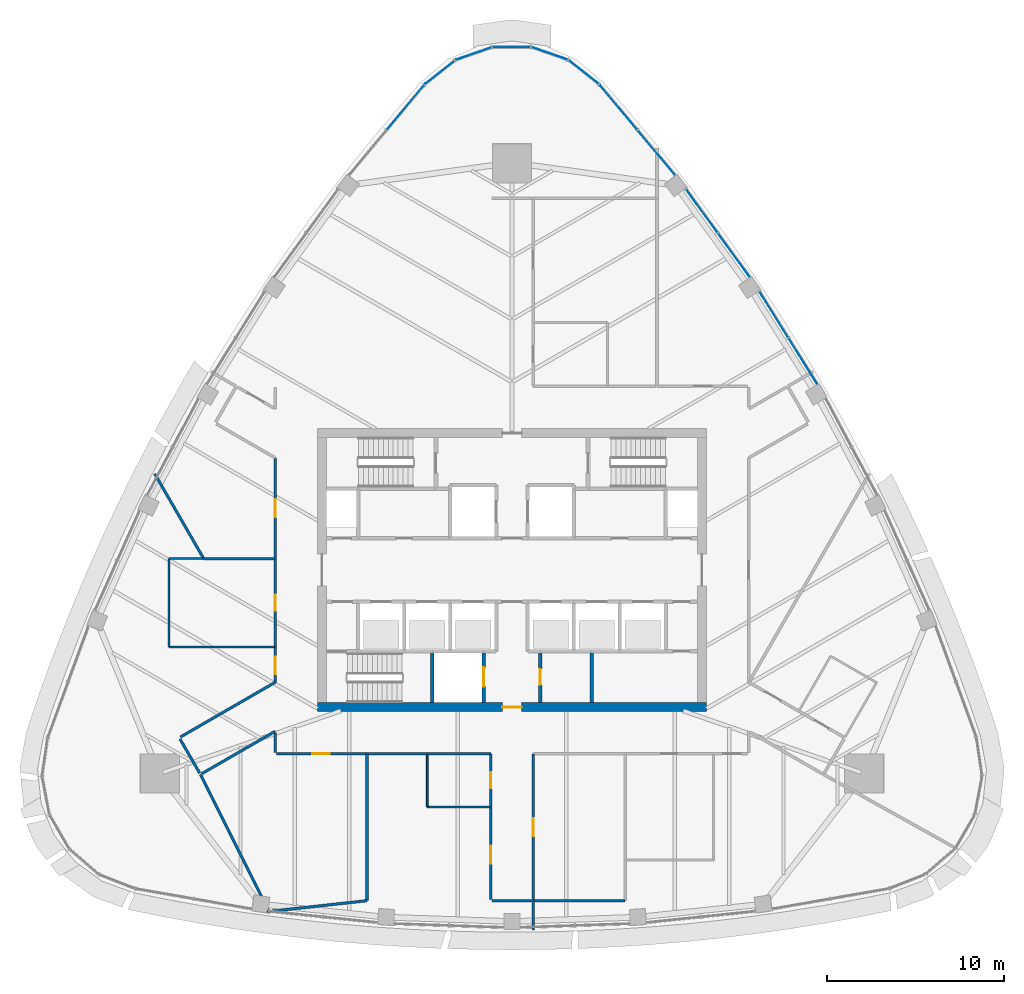
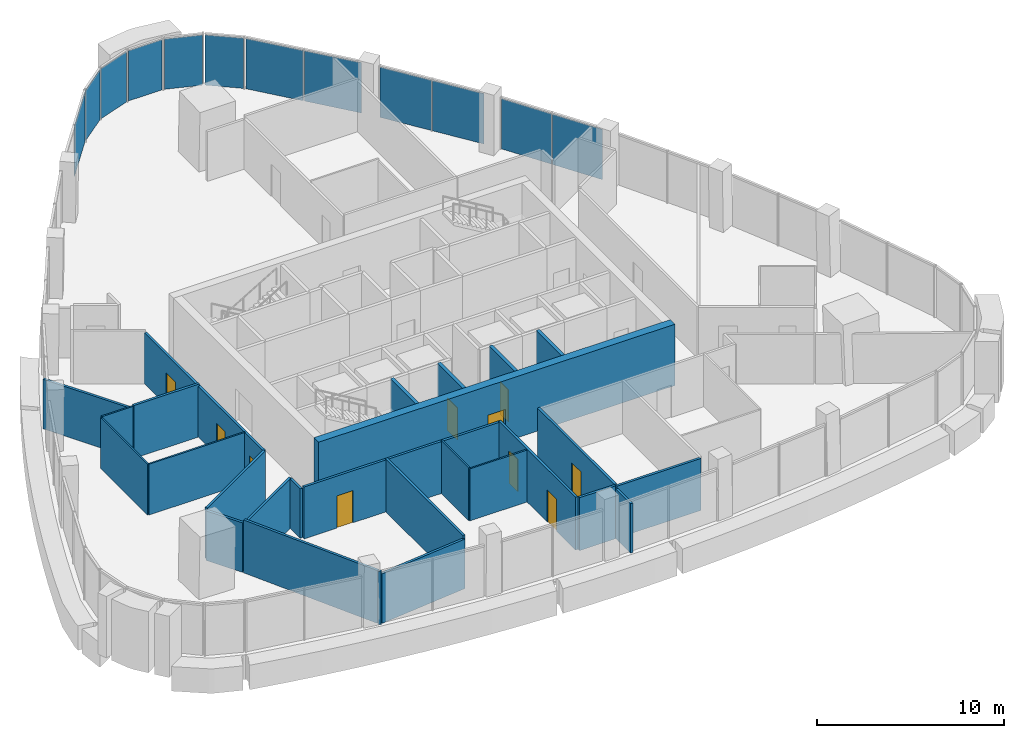
# One storey, part 8 of 15: 27 walls, 12 plates, 10 doors, 10 openings, 9 elements without a shape of their own.
"""IFC4 building model written with IfcOpenShell, lengths in metres."""

from ifc_helpers import new_model, si_unit, direction, frame, frame_2d, origin, origin_2d, place, context, subcontext, project, spatial, rectangle, extrude, material, layer, layer_set, type_object, element, fill, aggregate, save


model = new_model("IFC4")

# Units and contexts
model_context = context("Model", 3, precision=1e-05, world=origin(), true_north=direction((0.0, 1.0)))
body_context = subcontext(model_context, "Body", "Model", "MODEL_VIEW")
ifc_project = project(units=[si_unit("LENGTHUNIT", "METRE"), si_unit("AREAUNIT", "SQUARE_METRE"), si_unit("VOLUMEUNIT", "CUBIC_METRE"), si_unit("PLANEANGLEUNIT", "RADIAN"), si_unit("MASSUNIT", "GRAM", prefix="KILO")], contexts=[model_context])

# Site, building, storey
site_placement = place(None, origin())
site = spatial("IfcSite", under=ifc_project, at=site_placement, CompositionType="ELEMENT")
building_placement = place(site_placement, origin())
building = spatial("IfcBuilding", under=site, at=building_placement, Name="Sierra Prisma Convention Tower", CompositionType="ELEMENT")
storey_placement = place(building_placement, frame((0.0, 0.0, 315.0)))
storey = spatial("IfcBuildingStorey", under=building, at=storey_placement, Name="L72", CompositionType="ELEMENT", Elevation=315.0)

# Curtain wall, plates
ifc_material_1 = material(Name="Aluminium and glass curtain wall", Category="aluminium")
ifc_layer_1 = layer(ifc_material_1, 0.179931640625)
ifc_layer_set_1 = layer_set([ifc_layer_1], Name="CW-1 Plain shaft curtain wall")
curtain_wall_type = type_object("IfcCurtainWallType", Name="CW-1 Plain shaft curtain wall", PredefinedType="NOTDEFINED", material=ifc_layer_set_1)
curtain_wall_1_placement = place(storey_placement, origin())
curtain_wall_1 = element("IfcCurtainWall", 1, at=curtain_wall_1_placement, inside=storey, type_object=curtain_wall_type, Name="CW-1 NE4 L72", PredefinedType="NOTDEFINED")
ifc_material_2 = material(Name="Tinted glass bronze-grey IGU", Category="glass")
ifc_layer_2 = layer(ifc_material_2, 0.028076171875)
ifc_layer_set_2 = layer_set([ifc_layer_2], Name="CW-1 glass panel")
plate_type = type_object("IfcPlateType", Name="CW-1 glass panel", PredefinedType="CURTAIN_PANEL", material=ifc_layer_set_2)
plate_1_placement = place(storey_placement, frame((16.44775390625, 11.83740234375, 0.0), z_axis=(0.0, 0.0, 1.0), x_axis=(-0.529606439543, 0.848243490511, 0.0)))
plate_1 = element("IfcPlate", 2, at=plate_1_placement, type_object=plate_type, Name="CW-1 panel NE4.1", PredefinedType="CURTAIN_PANEL", context=body_context, shape_type="SweptSolid", body=[
    extrude(rectangle(XDim=3.017578125, YDim=0.028076171875, at=origin_2d()), origin(), (0.0, 0.0, 1.0), 3.280029296875),
])
plate_2_placement = place(storey_placement, frame((14.8125, 14.45654296875, 0.0), z_axis=(0.0, 0.0, 1.0), x_axis=(-0.529606439543, 0.848243490511, 0.0)))
plate_2 = element("IfcPlate", 3, at=plate_2_placement, type_object=plate_type, Name="CW-1 panel NE4.2", PredefinedType="CURTAIN_PANEL", context=body_context, shape_type="SweptSolid", body=[
    extrude(rectangle(XDim=3.017578125, YDim=0.028076171875, at=origin_2d()), origin(), (0.0, 0.0, 1.0), 3.280029296875),
])
aggregate(curtain_wall_1, [plate_1, plate_2])

curtain_wall_2_placement = place(storey_placement, origin())
curtain_wall_2 = element("IfcCurtainWall", 4, at=curtain_wall_2_placement, inside=storey, type_object=curtain_wall_type, Name="CW-1 NE5 L72", PredefinedType="NOTDEFINED")
plate_3_placement = place(storey_placement, frame((12.54541015625, 17.823974609375, 0.0), z_axis=(0.0, 0.0, 1.0), x_axis=(-0.58688971464, 0.809666883879, 0.0)))
plate_3 = element("IfcPlate", 5, at=plate_3_placement, type_object=plate_type, Name="CW-1 panel NE5.1", PredefinedType="CURTAIN_PANEL", context=body_context, shape_type="SweptSolid", body=[
    extrude(rectangle(XDim=3.002685546875, YDim=0.028076171875, at=origin_2d()), origin(), (0.0, 0.0, 1.0), 3.280029296875),
])
plate_4_placement = place(storey_placement, frame((10.7421875, 20.3115234375, 0.0), z_axis=(0.0, 0.0, 1.0), x_axis=(-0.58688971464, 0.809666883879, 0.0)))
plate_4 = element("IfcPlate", 6, at=plate_4_placement, type_object=plate_type, Name="CW-1 panel NE5.2", PredefinedType="CURTAIN_PANEL", context=body_context, shape_type="SweptSolid", body=[
    extrude(rectangle(XDim=3.002685546875, YDim=0.028076171875, at=origin_2d()), origin(), (0.0, 0.0, 1.0), 3.280029296875),
])
aggregate(curtain_wall_2, [plate_3, plate_4])

curtain_wall_3_placement = place(storey_placement, origin())
curtain_wall_3 = element("IfcCurtainWall", 7, at=curtain_wall_3_placement, inside=storey, type_object=curtain_wall_type, Name="CW-1 NE6 L72", PredefinedType="NOTDEFINED")
plate_5_placement = place(storey_placement, frame((8.15625, 23.627197265625, 0.0), z_axis=(0.0, 0.0, 1.0), x_axis=(-0.641373802701, 0.767228548224, 0.0)))
plate_5 = element("IfcPlate", 8, at=plate_5_placement, type_object=plate_type, Name="CW-1 panel NE6.1", PredefinedType="CURTAIN_PANEL", context=body_context, shape_type="SweptSolid", body=[
    extrude(rectangle(XDim=3.24853515625, YDim=0.028076171875, at=origin_2d()), origin(), (0.0, 0.0, 1.0), 3.280029296875),
])
plate_6_placement = place(storey_placement, frame((6.02783203125, 26.17333984375, 0.0), z_axis=(0.0, 0.0, 1.0), x_axis=(-0.641373802701, 0.767228548224, 0.0)))
plate_6 = element("IfcPlate", 9, at=plate_6_placement, type_object=plate_type, Name="CW-1 panel NE6.2", PredefinedType="CURTAIN_PANEL", context=body_context, shape_type="SweptSolid", body=[
    extrude(rectangle(XDim=3.24853515625, YDim=0.028076171875, at=origin_2d()), origin(), (0.0, 0.0, 1.0), 3.280029296875),
])
aggregate(curtain_wall_3, [plate_5, plate_6])

# Curtain wall, plate
curtain_wall_4_placement = place(storey_placement, origin())
curtain_wall_4 = element("IfcCurtainWall", 10, at=curtain_wall_4_placement, inside=storey, type_object=curtain_wall_type, Name="CW-1 N1 L72", PredefinedType="NOTDEFINED")
plate_7_placement = place(storey_placement, frame((4.07275390625, 28.163818359375, 0.0), z_axis=(0.0, 0.0, 1.0), x_axis=(-0.78259254883, 0.622534258106, 0.0)))
plate_7 = element("IfcPlate", 11, at=plate_7_placement, type_object=plate_type, Name="CW-1 panel N1.1", PredefinedType="CURTAIN_PANEL", context=body_context, shape_type="SweptSolid", body=[
    extrude(rectangle(XDim=2.0791015625, YDim=0.028076171875, at=origin_2d()), origin(), (0.0, 0.0, 1.0), 3.280029296875),
])
aggregate(curtain_wall_4, [plate_7])

curtain_wall_5_placement = place(storey_placement, origin())
curtain_wall_5 = element("IfcCurtainWall", 12, at=curtain_wall_5_placement, inside=storey, type_object=curtain_wall_type, Name="CW-1 N2 L72", PredefinedType="NOTDEFINED")
plate_8_placement = place(storey_placement, frame((2.156982421875, 29.220458984375, 0.0), z_axis=(0.0, 0.0, 1.0), x_axis=(-0.944084887293, 0.329702480405, 0.0)))
plate_8 = element("IfcPlate", 13, at=plate_8_placement, type_object=plate_type, Name="CW-1 panel N2.1", PredefinedType="CURTAIN_PANEL", context=body_context, shape_type="SweptSolid", body=[
    extrude(rectangle(XDim=2.0791015625, YDim=0.028076171875, at=origin_2d()), origin(), (0.0, 0.0, 1.0), 3.280029296875),
])
aggregate(curtain_wall_5, [plate_8])

curtain_wall_6_placement = place(storey_placement, origin())
curtain_wall_6 = element("IfcCurtainWall", 14, at=curtain_wall_6_placement, inside=storey, type_object=curtain_wall_type, Name="CW-1 N3 L72", PredefinedType="NOTDEFINED")
plate_9_placement = place(storey_placement, frame((0.0, 29.586181640625, 0.0), z_axis=(0.0, 0.0, 1.0), x_axis=(-1.0, 0.0, 0.0)))
plate_9 = element("IfcPlate", 15, at=plate_9_placement, type_object=plate_type, Name="CW-1 panel N3.1", PredefinedType="CURTAIN_PANEL", context=body_context, shape_type="SweptSolid", body=[
    extrude(rectangle(XDim=2.0791015625, YDim=0.028076171875, at=origin_2d()), origin(), (0.0, 0.0, 1.0), 3.280029296875),
])
aggregate(curtain_wall_6, [plate_9])

curtain_wall_7_placement = place(storey_placement, origin())
curtain_wall_7 = element("IfcCurtainWall", 16, at=curtain_wall_7_placement, inside=storey, type_object=curtain_wall_type, Name="CW-1 N4 L72", PredefinedType="NOTDEFINED")
plate_10_placement = place(storey_placement, frame((-2.156982421875, 29.220458984375, 0.0), z_axis=(0.0, 0.0, 1.0), x_axis=(-0.944084887293, -0.329702480405, 0.0)))
plate_10 = element("IfcPlate", 17, at=plate_10_placement, type_object=plate_type, Name="CW-1 panel N4.1", PredefinedType="CURTAIN_PANEL", context=body_context, shape_type="SweptSolid", body=[
    extrude(rectangle(XDim=2.0791015625, YDim=0.028076171875, at=origin_2d()), origin(), (0.0, 0.0, 1.0), 3.280029296875),
])
aggregate(curtain_wall_7, [plate_10])

curtain_wall_8_placement = place(storey_placement, origin())
curtain_wall_8 = element("IfcCurtainWall", 18, at=curtain_wall_8_placement, inside=storey, type_object=curtain_wall_type, Name="CW-1 N5 L72", PredefinedType="NOTDEFINED")
plate_11_placement = place(storey_placement, frame((-4.07275390625, 28.163818359375, 0.0), z_axis=(0.0, 0.0, 1.0), x_axis=(-0.78259254883, -0.622534258106, 0.0)))
plate_11 = element("IfcPlate", 19, at=plate_11_placement, type_object=plate_type, Name="CW-1 panel N5.1", PredefinedType="CURTAIN_PANEL", context=body_context, shape_type="SweptSolid", body=[
    extrude(rectangle(XDim=2.0791015625, YDim=0.028076171875, at=origin_2d()), origin(), (0.0, 0.0, 1.0), 3.280029296875),
])
aggregate(curtain_wall_8, [plate_11])

curtain_wall_9_placement = place(storey_placement, origin())
curtain_wall_9 = element("IfcCurtainWall", 20, at=curtain_wall_9_placement, inside=storey, type_object=curtain_wall_type, Name="CW-1 NW1 L72", PredefinedType="NOTDEFINED")
plate_12_placement = place(storey_placement, frame((-6.02783203125, 26.17333984375, 0.0), z_axis=(0.0, 0.0, 1.0), x_axis=(-0.641373802701, -0.767228548224, 0.0)))
plate_12 = element("IfcPlate", 21, at=plate_12_placement, type_object=plate_type, Name="CW-1 panel NW1.1", PredefinedType="CURTAIN_PANEL", context=body_context, shape_type="SweptSolid", body=[
    extrude(rectangle(XDim=3.24853515625, YDim=0.028076171875, at=origin_2d()), origin(), (0.0, 0.0, 1.0), 3.280029296875),
])
aggregate(curtain_wall_9, [plate_12])

# Walls
ifc_material_3 = material(Name="Gypsum board partition", Category="gypsum")
ifc_layer_3 = layer(ifc_material_3, 0.10009765625)
ifc_layer_set_3 = layer_set([ifc_layer_3], Name="Bathroom partition 100")
wall_type_1 = type_object("IfcWallType", Name="Bathroom partition 100", PredefinedType="PARTITIONING", material=ifc_layer_set_3)
wall_1_placement = place(storey_placement, frame((-13.429931640625, -4.350830078125, 0.0), z_axis=(0.0, 0.0, 1.0), x_axis=(-1.0, 0.0, 0.0)))
element("IfcWall", 22, at=wall_1_placement, inside=storey, type_object=wall_type_1, Name="Partition L72 bath 1", PredefinedType="PARTITIONING", context=body_context, shape_type="SweptSolid", body=[
    extrude(rectangle(XDim=5.969970703125, YDim=0.10009765625, at=frame_2d((2.98486328125, 0.0))), origin(), (0.0, 0.0, 1.0), 3.31689453125),
])
wall_2_placement = place(storey_placement, frame((-19.39990234375, -4.350830078125, 0.0), z_axis=(0.0, 0.0, 1.0), x_axis=(0.0, 1.0, 0.0)))
element("IfcWall", 23, at=wall_2_placement, inside=storey, type_object=wall_type_1, Name="Partition L72 bath 2", PredefinedType="PARTITIONING", context=body_context, shape_type="SweptSolid", body=[
    extrude(rectangle(XDim=5.0, YDim=0.10009765625, at=frame_2d((2.5, 0.0))), origin(), (0.0, 0.0, 1.0), 3.31689453125),
])
wall_3_placement = place(storey_placement, frame((-19.39990234375, 0.649169921875, 0.0), z_axis=(0.0, 0.0, 1.0), x_axis=(1.0, 0.0, 0.0)))
element("IfcWall", 24, at=wall_3_placement, inside=storey, type_object=wall_type_1, Name="Partition L72 bath 3", PredefinedType="PARTITIONING", context=body_context, shape_type="SweptSolid", body=[
    extrude(rectangle(XDim=1.923828125, YDim=0.10009765625, at=frame_2d((0.9619140625, 0.0))), origin(), (0.0, 0.0, 1.0), 3.39306640625),
])
wall_4_placement = place(storey_placement, frame((-1.22998046875, -13.39990234375, 0.0), z_axis=(0.0, 0.0, 1.0), x_axis=(-1.0, 0.0, 0.0)))
element("IfcWall", 25, at=wall_4_placement, inside=storey, type_object=wall_type_1, Name="Partition L72 bath 4", PredefinedType="PARTITIONING", context=body_context, shape_type="SweptSolid", body=[
    extrude(rectangle(XDim=3.570068359375, YDim=0.10009765625, at=frame_2d((1.78515625, 0.0))), origin(), (0.0, 0.0, 1.0), 3.39306640625),
])
wall_5_placement = place(storey_placement, frame((-4.800048828125, -13.39990234375, 0.0), z_axis=(0.0, 0.0, 1.0), x_axis=(0.0, 1.0, 0.0)))
element("IfcWall", 26, at=wall_5_placement, inside=storey, type_object=wall_type_1, Name="Partition L72 bath 5", PredefinedType="PARTITIONING", context=body_context, shape_type="SweptSolid", body=[
    extrude(rectangle(XDim=2.969970703125, YDim=0.10009765625, at=frame_2d((1.48486328125, 0.0))), origin(), (0.0, 0.0, 1.0), 3.449951171875),
])
ifc_material_4 = material(Name="Concrete C30/37", Category="concrete")
ifc_layer_4 = layer(ifc_material_4, 0.199951171875)
ifc_layer_set_4 = layer_set([ifc_layer_4], Name="Core wall RC 200 C30/37")
wall_type_2 = type_object("IfcWallType", Name="Core wall RC 200 C30/37", PredefinedType="SOLIDWALL", material=ifc_layer_set_4)
wall_6_placement = place(storey_placement, frame((-4.5, -4.60009765625, 0.0), z_axis=(0.0, 0.0, 1.0), x_axis=(0.0, -1.0, 0.0)))
element("IfcWall", 27, at=wall_6_placement, inside=storey, type_object=wall_type_2, Name="Core wall L72 14", PredefinedType="SOLIDWALL", context=body_context, shape_type="SweptSolid", body=[
    extrude(rectangle(XDim=2.89990234375, YDim=0.199951171875, at=frame_2d((1.449951171875, 0.0))), origin(), (0.0, 0.0, 1.0), 3.85009765625),
])

# Wall, opening, door
wall_7_placement = place(storey_placement, frame((-1.60009765625, -7.5, 0.0), z_axis=(0.0, 0.0, 1.0), x_axis=(0.0, 1.0, 0.0)))
wall_7 = element("IfcWall", 28, at=wall_7_placement, inside=storey, type_object=wall_type_2, Name="Core wall L72 26", PredefinedType="SOLIDWALL", context=body_context, shape_type="SweptSolid", body=[
    extrude(rectangle(XDim=2.89990234375, YDim=0.199951171875, at=frame_2d((1.449951171875, 0.0))), origin(), (0.0, 0.0, 1.0), 3.85009765625),
])
opening_1_placement = place(wall_7_placement, frame((0.89990234375, 0.0, 0.0)))
opening_1 = element("IfcOpeningElement", 29, at=opening_1_placement, cuts=wall_7, Name="Opening L72-D009", PredefinedType="OPENING", context=body_context, shape_type="SweptSolid", body=[
    extrude(rectangle(XDim=1.10009765625, YDim=2.10009765625, at=frame_2d((0.550048828125, 1.050048828125))), frame((0.0, 0.10009765625, 0.0), z_axis=(0.0, -1.0, 0.0), x_axis=(1.0, 0.0, 0.0)), (0.0, 0.0, 1.0), 0.199951171875),
])
ifc_material_5 = material(Name="Steel fire door leaf", Category="steel")
door_type_1 = type_object("IfcDoorType", Name="Door 1100x2100 EI 90 sliding lift landing", OperationType="SLIDING_TO_LEFT", PredefinedType="DOOR", material=ifc_material_5)
door_1_placement = place(opening_1_placement, origin())
door_1 = element("IfcDoor", 30, at=door_1_placement, inside=storey, type_object=door_type_1, Name="Door L72 25", OperationType="SLIDING_TO_LEFT", OverallHeight=2.10009765625, OverallWidth=1.10009765625, PredefinedType="DOOR", context=body_context, shape_type="SweptSolid", body=[
    extrude(rectangle(XDim=1.10009765625, YDim=2.10009765625, at=frame_2d((0.550048828125, 1.050048828125))), frame((0.0, 0.02490234375, 0.0), z_axis=(0.0, -1.0, 0.0), x_axis=(1.0, 0.0, 0.0)), (0.0, 0.0, 1.0), 0.050048828125),
])
fill(opening_1, door_1)

wall_8_placement = place(storey_placement, frame((1.60009765625, -4.60009765625, 0.0), z_axis=(0.0, 0.0, 1.0), x_axis=(0.0, -1.0, 0.0)))
wall_8 = element("IfcWall", 31, at=wall_8_placement, inside=storey, type_object=wall_type_2, Name="Core wall L72 38", PredefinedType="SOLIDWALL", context=body_context, shape_type="SweptSolid", body=[
    extrude(rectangle(XDim=2.89990234375, YDim=0.199951171875, at=frame_2d((1.449951171875, 0.0))), origin(), (0.0, 0.0, 1.0), 3.85009765625),
])
opening_2_placement = place(wall_8_placement, frame((1.0, 0.0, 0.0)))
opening_2 = element("IfcOpeningElement", 32, at=opening_2_placement, cuts=wall_8, Name="Opening L72-D022", PredefinedType="OPENING", context=body_context, shape_type="SweptSolid", body=[
    extrude(rectangle(XDim=0.89990234375, YDim=2.10009765625, at=frame_2d((0.449951171875, 1.050048828125))), frame((0.0, 0.10009765625, 0.0), z_axis=(0.0, -1.0, 0.0), x_axis=(1.0, 0.0, 0.0)), (0.0, 0.0, 1.0), 0.199951171875),
])
ifc_material_6 = material(Name="Steel fire door leaf", Category="steel")
door_type_2 = type_object("IfcDoorType", Name="Door 900x2100 FD30S", OperationType="SINGLE_SWING_LEFT", PredefinedType="DOOR", material=ifc_material_6)
door_2_placement = place(opening_2_placement, origin())
door_2 = element("IfcDoor", 33, at=door_2_placement, inside=storey, type_object=door_type_2, Name="Door L72 38", OperationType="SINGLE_SWING_RIGHT", OverallHeight=2.10009765625, OverallWidth=0.89990234375, PredefinedType="DOOR", context=body_context, shape_type="SweptSolid", body=[
    extrude(rectangle(XDim=0.89990234375, YDim=2.10009765625, at=frame_2d((0.449951171875, 1.050048828125))), frame((0.0, 0.02490234375, 0.0), z_axis=(0.0, -1.0, 0.0), x_axis=(1.0, 0.0, 0.0)), (0.0, 0.0, 1.0), 0.050048828125),
])
fill(opening_2, door_2)

# Wall
wall_9_placement = place(storey_placement, frame((4.5, -4.60009765625, 0.0), z_axis=(0.0, 0.0, 1.0), x_axis=(0.0, -1.0, 0.0)))
element("IfcWall", 34, at=wall_9_placement, inside=storey, type_object=wall_type_2, Name="Core wall L72 48", PredefinedType="SOLIDWALL", context=body_context, shape_type="SweptSolid", body=[
    extrude(rectangle(XDim=2.89990234375, YDim=0.199951171875, at=frame_2d((1.449951171875, 0.0))), origin(), (0.0, 0.0, 1.0), 3.85009765625),
])

# Wall, opening, door
ifc_material_7 = material(Name="Concrete C50/60", Category="concrete")
ifc_layer_5 = layer(ifc_material_7, 0.5)
ifc_layer_set_5 = layer_set([ifc_layer_5], Name="Core wall RC 500 C50/60")
wall_type_3 = type_object("IfcWallType", Name="Core wall RC 500 C50/60", PredefinedType="SHEAR", material=ifc_layer_set_5)
wall_10_placement = place(storey_placement, frame((-11.0, -7.75, 0.0), z_axis=(0.0, 0.0, 1.0), x_axis=(1.0, 0.0, 0.0)))
wall_10 = element("IfcWall", 35, at=wall_10_placement, inside=storey, type_object=wall_type_3, Name="Core wall S L72", PredefinedType="SHEAR", context=body_context, shape_type="SweptSolid", body=[
    extrude(rectangle(XDim=22.0, YDim=0.5, at=frame_2d((11.0, 0.0))), origin(), (0.0, 0.0, 1.0), 4.0),
])
opening_3_placement = place(wall_10_placement, frame((10.449951171875, 0.0, 0.0)))
opening_3 = element("IfcOpeningElement", 36, at=opening_3_placement, cuts=wall_10, Name="Opening L72-D041", PredefinedType="OPENING", context=body_context, shape_type="SweptSolid", body=[
    extrude(rectangle(XDim=1.10009765625, YDim=2.10009765625, at=frame_2d((0.550048828125, 1.050048828125))), frame((0.0, 0.25, 0.0), z_axis=(0.0, -1.0, 0.0), x_axis=(1.0, 0.0, 0.0)), (0.0, 0.0, 1.0), 0.5),
])
ifc_material_8 = material(Name="Steel fire door leaf", Category="steel")
door_type_3 = type_object("IfcDoorType", Name="Door 1100x2100 FD30S", OperationType="SINGLE_SWING_LEFT", PredefinedType="DOOR", material=ifc_material_8)
door_3_placement = place(opening_3_placement, origin())
door_3 = element("IfcDoor", 37, at=door_3_placement, inside=storey, type_object=door_type_3, Name="Door L72 42", OperationType="SINGLE_SWING_LEFT", OverallHeight=2.10009765625, OverallWidth=1.10009765625, PredefinedType="DOOR", context=body_context, shape_type="SweptSolid", body=[
    extrude(rectangle(XDim=1.10009765625, YDim=2.10009765625, at=frame_2d((0.550048828125, 1.050048828125))), frame((0.0, 0.02490234375, 0.0), z_axis=(0.0, -1.0, 0.0), x_axis=(1.0, 0.0, 0.0)), (0.0, 0.0, 1.0), 0.050048828125),
])
fill(opening_3, door_3)

# Wall
ifc_material_9 = material(Name="Gypsum board partition", Category="gypsum")
ifc_layer_6 = layer(ifc_material_9, 0.14990234375)
ifc_layer_set_6 = layer_set([ifc_layer_6], Name="Corridor wall 150 gypsum EI 60")
wall_type_4 = type_object("IfcWallType", Name="Corridor wall 150 gypsum EI 60", PredefinedType="PARTITIONING", material=ifc_layer_set_6)
wall_11_placement = place(storey_placement, frame((-18.784423828125, -9.552001953125, 0.0), z_axis=(0.0, 0.0, 1.0), x_axis=(0.49994888933, -0.866054910533, 0.0)))
element("IfcWall", 38, at=wall_11_placement, inside=storey, type_object=wall_type_4, Name="Partition L72 corr 1", PredefinedType="PARTITIONING", context=body_context, shape_type="SweptSolid", body=[
    extrude(rectangle(XDim=2.239990234375, YDim=0.14990234375, at=frame_2d((1.1201171875, 0.0))), origin(), (0.0, 0.0, 1.0), 3.23291015625),
])

# Wall, openings, doors
wall_12_placement = place(storey_placement, frame((-13.39990234375, 6.350830078125, 0.0), z_axis=(0.0, 0.0, 1.0), x_axis=(0.0, -1.0, 0.0)))
wall_12 = element("IfcWall", 39, at=wall_12_placement, inside=storey, type_object=wall_type_4, Name="Partition L72 corr 3", PredefinedType="PARTITIONING", context=body_context, shape_type="SweptSolid", body=[
    extrude(rectangle(XDim=12.70166015625, YDim=0.14990234375, at=frame_2d((6.350830078125, 0.0))), origin(), (0.0, 0.0, 1.0), 3.31689453125),
])
opening_4_placement = place(wall_12_placement, frame((2.350830078125, 0.0, 0.0)))
opening_4 = element("IfcOpeningElement", 40, at=opening_4_placement, cuts=wall_12, Name="Opening L72-D028", PredefinedType="OPENING", context=body_context, shape_type="SweptSolid", body=[
    extrude(rectangle(XDim=1.0, YDim=2.10009765625, at=frame_2d((0.5, 1.050048828125))), frame((0.0, 0.074951171875, 0.0), z_axis=(0.0, -1.0, 0.0), x_axis=(1.0, 0.0, 0.0)), (0.0, 0.0, 1.0), 0.14990234375),
])
opening_5_placement = place(wall_12_placement, frame((7.751708984375, 0.0, 0.0)))
opening_5 = element("IfcOpeningElement", 41, at=opening_5_placement, cuts=wall_12, Name="Opening L72-D029", PredefinedType="OPENING", context=body_context, shape_type="SweptSolid", body=[
    extrude(rectangle(XDim=0.89990234375, YDim=2.10009765625, at=frame_2d((0.449951171875, 1.050048828125))), frame((0.0, 0.074951171875, 0.0), z_axis=(0.0, -1.0, 0.0), x_axis=(1.0, 0.0, 0.0)), (0.0, 0.0, 1.0), 0.14990234375),
])
opening_6_placement = place(wall_12_placement, frame((11.251708984375, 0.0, 0.0)))
opening_6 = element("IfcOpeningElement", 42, at=opening_6_placement, cuts=wall_12, Name="Opening L72-D030", PredefinedType="OPENING", context=body_context, shape_type="SweptSolid", body=[
    extrude(rectangle(XDim=1.0, YDim=2.10009765625, at=frame_2d((0.5, 1.050048828125))), frame((0.0, 0.074951171875, 0.0), z_axis=(0.0, -1.0, 0.0), x_axis=(1.0, 0.0, 0.0)), (0.0, 0.0, 1.0), 0.14990234375),
])
ifc_material_10 = material(Name="Steel fire door leaf", Category="steel")
door_type_4 = type_object("IfcDoorType", Name="Door 1000x2100 FD30S", OperationType="SINGLE_SWING_LEFT", PredefinedType="DOOR", material=ifc_material_10)
door_4_placement = place(opening_4_placement, origin())
door_4 = element("IfcDoor", 43, at=door_4_placement, inside=storey, type_object=door_type_4, Name="Door L72 6", OperationType="SINGLE_SWING_LEFT", OverallHeight=2.10009765625, OverallWidth=1.0, PredefinedType="DOOR", context=body_context, shape_type="SweptSolid", body=[
    extrude(rectangle(XDim=1.0, YDim=2.10009765625, at=frame_2d((0.5, 1.050048828125))), frame((0.0, 0.02490234375, 0.0), z_axis=(0.0, -1.0, 0.0), x_axis=(1.0, 0.0, 0.0)), (0.0, 0.0, 1.0), 0.050048828125),
])
fill(opening_4, door_4)
door_5_placement = place(opening_6_placement, origin())
door_5 = element("IfcDoor", 44, at=door_5_placement, inside=storey, type_object=door_type_4, Name="Door L72 8", OperationType="SINGLE_SWING_RIGHT", OverallHeight=2.10009765625, OverallWidth=1.0, PredefinedType="DOOR", context=body_context, shape_type="SweptSolid", body=[
    extrude(rectangle(XDim=1.0, YDim=2.10009765625, at=frame_2d((0.5, 1.050048828125))), frame((0.0, 0.02490234375, 0.0), z_axis=(0.0, -1.0, 0.0), x_axis=(1.0, 0.0, 0.0)), (0.0, 0.0, 1.0), 0.050048828125),
])
fill(opening_6, door_5)
door_6_placement = place(opening_5_placement, origin())
door_6 = element("IfcDoor", 45, at=door_6_placement, inside=storey, type_object=door_type_2, Name="Door L72 7", OperationType="SINGLE_SWING_RIGHT", OverallHeight=2.10009765625, OverallWidth=0.89990234375, PredefinedType="DOOR", context=body_context, shape_type="SweptSolid", body=[
    extrude(rectangle(XDim=0.89990234375, YDim=2.10009765625, at=frame_2d((0.449951171875, 1.050048828125))), frame((0.0, 0.02490234375, 0.0), z_axis=(0.0, -1.0, 0.0), x_axis=(1.0, 0.0, 0.0)), (0.0, 0.0, 1.0), 0.050048828125),
])
fill(opening_5, door_6)

# Walls
wall_13_placement = place(storey_placement, frame((-13.39990234375, -6.350830078125, 0.0), z_axis=(0.0, 0.0, 1.0), x_axis=(-0.866038319186, -0.499977629202, 0.0)))
element("IfcWall", 46, at=wall_13_placement, inside=storey, type_object=wall_type_4, Name="Partition L72 corr 4", PredefinedType="PARTITIONING", context=body_context, shape_type="SweptSolid", body=[
    extrude(rectangle(XDim=6.183837890625, YDim=0.14990234375, at=frame_2d((3.091796875, 0.0))), origin(), (0.0, 0.0, 1.0), 3.31689453125),
])
wall_14_placement = place(storey_placement, frame((-17.555419921875, -11.521240234375, 0.0), z_axis=(0.0, 0.0, 1.0), x_axis=(0.866027142779, 0.499996987961, 0.0)))
element("IfcWall", 47, at=wall_14_placement, inside=storey, type_object=wall_type_4, Name="Partition L72 corr 5", PredefinedType="PARTITIONING", context=body_context, shape_type="SweptSolid", body=[
    extrude(rectangle(XDim=4.79833984375, YDim=0.14990234375, at=frame_2d((2.399169921875, 0.0))), origin(), (0.0, 0.0, 1.0), 3.23291015625),
])
wall_15_placement = place(storey_placement, frame((-13.39990234375, -9.213623046875, 0.0), z_axis=(0.0, 0.0, 1.0), x_axis=(0.0, -1.0, 0.0)))
element("IfcWall", 48, at=wall_15_placement, inside=storey, type_object=wall_type_4, Name="Partition L72 corr 6", PredefinedType="PARTITIONING", context=body_context, shape_type="SweptSolid", body=[
    extrude(rectangle(XDim=1.1064453125, YDim=0.14990234375, at=frame_2d((0.55322265625, 0.0))), origin(), (0.0, 0.0, 1.0), 3.23291015625),
])

# Wall, opening, door
wall_16_placement = place(storey_placement, frame((-13.320068359375, -10.39990234375, 0.0), z_axis=(0.0, 0.0, 1.0), x_axis=(1.0, 0.0, 0.0)))
wall_16 = element("IfcWall", 49, at=wall_16_placement, inside=storey, type_object=wall_type_4, Name="Partition L72 corr 10", PredefinedType="PARTITIONING", context=body_context, shape_type="SweptSolid", body=[
    extrude(rectangle(XDim=12.1201171875, YDim=0.14990234375, at=frame_2d((6.06005859375, 0.0))), origin(), (0.0, 0.0, 1.0), 3.39306640625),
])
opening_7_placement = place(wall_16_placement, frame((2.02001953125, 0.0, 0.0)))
opening_7 = element("IfcOpeningElement", 50, at=opening_7_placement, cuts=wall_16, Name="Opening L72-D031", PredefinedType="OPENING", context=body_context, shape_type="SweptSolid", body=[
    extrude(rectangle(XDim=1.0, YDim=2.10009765625, at=frame_2d((0.5, 1.050048828125))), frame((0.0, 0.074951171875, 0.0), z_axis=(0.0, -1.0, 0.0), x_axis=(1.0, 0.0, 0.0)), (0.0, 0.0, 1.0), 0.14990234375),
])
door_7_placement = place(opening_7_placement, origin())
door_7 = element("IfcDoor", 51, at=door_7_placement, inside=storey, type_object=door_type_4, Name="Door L72 9", OperationType="SINGLE_SWING_LEFT", OverallHeight=2.10009765625, OverallWidth=1.0, PredefinedType="DOOR", context=body_context, shape_type="SweptSolid", body=[
    extrude(rectangle(XDim=1.0, YDim=2.10009765625, at=frame_2d((0.5, 1.050048828125))), frame((0.0, 0.02490234375, 0.0), z_axis=(0.0, -1.0, 0.0), x_axis=(1.0, 0.0, 0.0)), (0.0, 0.0, 1.0), 0.050048828125),
])
fill(opening_7, door_7)

# Wall, openings, doors
wall_17_placement = place(storey_placement, frame((-1.199951171875, -10.39990234375, 0.0), z_axis=(0.0, 0.0, 1.0), x_axis=(0.0, -1.0, 0.0)))
wall_17 = element("IfcWall", 52, at=wall_17_placement, inside=storey, type_object=wall_type_4, Name="Partition L72 corr 11", PredefinedType="PARTITIONING", context=body_context, shape_type="SweptSolid", body=[
    extrude(rectangle(XDim=8.222900390625, YDim=0.14990234375, at=frame_2d((4.111328125, 0.0))), origin(), (0.0, 0.0, 1.0), 3.449951171875),
])
opening_8_placement = place(wall_17_placement, frame((1.050048828125, 0.0, 0.0)))
opening_8 = element("IfcOpeningElement", 53, at=opening_8_placement, cuts=wall_17, Name="Opening L72-D032", PredefinedType="OPENING", context=body_context, shape_type="SweptSolid", body=[
    extrude(rectangle(XDim=0.89990234375, YDim=2.10009765625, at=frame_2d((0.449951171875, 1.050048828125))), frame((0.0, 0.074951171875, 0.0), z_axis=(0.0, -1.0, 0.0), x_axis=(1.0, 0.0, 0.0)), (0.0, 0.0, 1.0), 0.14990234375),
])
opening_9_placement = place(wall_17_placement, frame((5.201416015625, 0.0, 0.0)))
opening_9 = element("IfcOpeningElement", 54, at=opening_9_placement, cuts=wall_17, Name="Opening L72-D033", PredefinedType="OPENING", context=body_context, shape_type="SweptSolid", body=[
    extrude(rectangle(XDim=1.0, YDim=2.10009765625, at=frame_2d((0.5, 1.050048828125))), frame((0.0, 0.074951171875, 0.0), z_axis=(0.0, -1.0, 0.0), x_axis=(1.0, 0.0, 0.0)), (0.0, 0.0, 1.0), 0.14990234375),
])
door_8_placement = place(opening_9_placement, origin())
door_8 = element("IfcDoor", 55, at=door_8_placement, inside=storey, type_object=door_type_4, Name="Door L72 11", OperationType="SINGLE_SWING_RIGHT", OverallHeight=2.10009765625, OverallWidth=1.0, PredefinedType="DOOR", context=body_context, shape_type="SweptSolid", body=[
    extrude(rectangle(XDim=1.0, YDim=2.10009765625, at=frame_2d((0.5, 1.050048828125))), frame((0.0, 0.02490234375, 0.0), z_axis=(0.0, -1.0, 0.0), x_axis=(1.0, 0.0, 0.0)), (0.0, 0.0, 1.0), 0.050048828125),
])
fill(opening_9, door_8)
door_9_placement = place(opening_8_placement, origin())
door_9 = element("IfcDoor", 56, at=door_9_placement, inside=storey, type_object=door_type_2, Name="Door L72 10", OperationType="SINGLE_SWING_RIGHT", OverallHeight=2.10009765625, OverallWidth=0.89990234375, PredefinedType="DOOR", context=body_context, shape_type="SweptSolid", body=[
    extrude(rectangle(XDim=0.89990234375, YDim=2.10009765625, at=frame_2d((0.449951171875, 1.050048828125))), frame((0.0, 0.02490234375, 0.0), z_axis=(0.0, -1.0, 0.0), x_axis=(1.0, 0.0, 0.0)), (0.0, 0.0, 1.0), 0.050048828125),
])
fill(opening_8, door_9)

# Wall
wall_18_placement = place(storey_placement, frame((-1.1201171875, -18.702880859375, 0.0), z_axis=(0.0, 0.0, 1.0), x_axis=(1.0, 0.0, 0.0)))
element("IfcWall", 57, at=wall_18_placement, inside=storey, type_object=wall_type_4, Name="Partition L72 corr 12", PredefinedType="PARTITIONING", context=body_context, shape_type="SweptSolid", body=[
    extrude(rectangle(XDim=2.240234375, YDim=0.14990234375, at=frame_2d((1.1201171875, 0.0))), origin(), (0.0, 0.0, 1.0), 3.449951171875),
])

# Wall, opening, door
wall_19_placement = place(storey_placement, frame((1.199951171875, -18.622802734375, 0.0), z_axis=(0.0, 0.0, 1.0), x_axis=(0.0, 1.0, 0.0)))
wall_19 = element("IfcWall", 58, at=wall_19_placement, inside=storey, type_object=wall_type_4, Name="Partition L72 corr 14", PredefinedType="PARTITIONING", context=body_context, shape_type="SweptSolid", body=[
    extrude(rectangle(XDim=8.222900390625, YDim=0.14990234375, at=frame_2d((4.111328125, 0.0))), origin(), (0.0, 0.0, 1.0), 3.449951171875),
])
opening_10_placement = place(wall_19_placement, frame((3.571533203125, 0.0, 0.0)))
opening_10 = element("IfcOpeningElement", 59, at=opening_10_placement, cuts=wall_19, Name="Opening L72-D034", PredefinedType="OPENING", context=body_context, shape_type="SweptSolid", body=[
    extrude(rectangle(XDim=1.0, YDim=2.10009765625, at=frame_2d((0.5, 1.050048828125))), frame((0.0, 0.074951171875, 0.0), z_axis=(0.0, -1.0, 0.0), x_axis=(1.0, 0.0, 0.0)), (0.0, 0.0, 1.0), 0.14990234375),
])
door_10_placement = place(opening_10_placement, origin())
door_10 = element("IfcDoor", 60, at=door_10_placement, inside=storey, type_object=door_type_4, Name="Door L72 12", OperationType="SINGLE_SWING_RIGHT", OverallHeight=2.10009765625, OverallWidth=1.0, PredefinedType="DOOR", context=body_context, shape_type="SweptSolid", body=[
    extrude(rectangle(XDim=1.0, YDim=2.10009765625, at=frame_2d((0.5, 1.050048828125))), frame((0.0, 0.02490234375, 0.0), z_axis=(0.0, -1.0, 0.0), x_axis=(1.0, 0.0, 0.0)), (0.0, 0.0, 1.0), 0.050048828125),
])
fill(opening_10, door_10)

# Walls
ifc_material_11 = material(Name="Gypsum board partition", Category="gypsum")
ifc_layer_7 = layer(ifc_material_11, 0.14990234375)
ifc_layer_set_7 = layer_set([ifc_layer_7], Name="Party wall 150 gypsum")
wall_type_5 = type_object("IfcWallType", Name="Party wall 150 gypsum", PredefinedType="PARTITIONING", material=ifc_layer_set_7)
wall_20_placement = place(storey_placement, frame((-13.39990234375, 0.649169921875, 0.0), z_axis=(0.0, 0.0, 1.0), x_axis=(-1.0, 0.0, 0.0)))
element("IfcWall", 61, at=wall_20_placement, inside=storey, type_object=wall_type_5, Name="Partition L72 party 1", PredefinedType="PARTITIONING", context=body_context, shape_type="SweptSolid", body=[
    extrude(rectangle(XDim=4.04150390625, YDim=0.14990234375, at=frame_2d((2.020751953125, 0.0))), origin(), (0.0, 0.0, 1.0), 3.449951171875),
])
wall_21_placement = place(storey_placement, frame((-17.44140625, 0.649169921875, 0.0), z_axis=(0.0, 0.0, 1.0), x_axis=(-0.499998843543, 0.866026071464, 0.0)))
element("IfcWall", 62, at=wall_21_placement, inside=storey, type_object=wall_type_5, Name="Partition L72 party 2", PredefinedType="PARTITIONING", context=body_context, shape_type="SweptSolid", body=[
    extrude(rectangle(XDim=5.53076171875, YDim=0.14990234375, at=frame_2d((2.765380859375, 0.0))), origin(), (0.0, 0.0, 1.0), 3.23388671875),
])
wall_22_placement = place(storey_placement, frame((-17.62451171875, -11.561279296875, 0.0), z_axis=(0.0, 0.0, 1.0), x_axis=(0.447464657965, -0.894301615716, 0.0)))
element("IfcWall", 63, at=wall_22_placement, inside=storey, type_object=wall_type_5, Name="Partition L72 party 3", PredefinedType="PARTITIONING", context=body_context, shape_type="SweptSolid", body=[
    extrude(rectangle(XDim=8.556884765625, YDim=0.14990234375, at=frame_2d((4.2783203125, 0.0))), origin(), (0.0, 0.0, 1.0), 3.449951171875),
])
wall_23_placement = place(storey_placement, frame((-8.199951171875, -10.39990234375, 0.0), z_axis=(0.0, 0.0, 1.0), x_axis=(0.0, -1.0, 0.0)))
element("IfcWall", 64, at=wall_23_placement, inside=storey, type_object=wall_type_5, Name="Partition L72 party 5", PredefinedType="PARTITIONING", context=body_context, shape_type="SweptSolid", body=[
    extrude(rectangle(XDim=8.302978515625, YDim=0.14990234375, at=frame_2d((4.1513671875, 0.0))), origin(), (0.0, 0.0, 1.0), 3.449951171875),
])
wall_24_placement = place(storey_placement, frame((-8.199951171875, -18.702880859375, 0.0), z_axis=(0.0, 0.0, 1.0), x_axis=(-0.994036039738, -0.109052059594, 0.0)))
element("IfcWall", 65, at=wall_24_placement, inside=storey, type_object=wall_type_5, Name="Partition L72 party 6", PredefinedType="PARTITIONING", context=body_context, shape_type="SweptSolid", body=[
    extrude(rectangle(XDim=5.478271484375, YDim=0.14990234375, at=frame_2d((2.7392578125, 0.0))), origin(), (0.0, 0.0, 1.0), 3.23388671875),
])
wall_25_placement = place(storey_placement, frame((-13.695556640625, -19.38671875, 0.0), z_axis=(0.0, 0.0, 1.0), x_axis=(-0.806193122495, 0.591652473368, 0.0)))
element("IfcWall", 66, at=wall_25_placement, inside=storey, type_object=wall_type_5, Name="Partition L72 party 7", PredefinedType="PARTITIONING", context=body_context, shape_type="SweptSolid", body=[
    extrude(rectangle(XDim=0.18310546875, YDim=0.14990234375, at=frame_2d((0.091552734375, 0.0))), origin(), (0.0, 0.0, 1.0), 3.449951171875),
])
wall_26_placement = place(storey_placement, frame((6.39990234375, -18.702880859375, 0.0), z_axis=(0.0, 0.0, 1.0), x_axis=(-1.0, 0.0, 0.0)))
element("IfcWall", 67, at=wall_26_placement, inside=storey, type_object=wall_type_5, Name="Partition L72 party 9", PredefinedType="PARTITIONING", context=body_context, shape_type="SweptSolid", body=[
    extrude(rectangle(XDim=5.199951171875, YDim=0.14990234375, at=frame_2d((2.60009765625, 0.0))), origin(), (0.0, 0.0, 1.0), 3.39306640625),
])
wall_27_placement = place(storey_placement, frame((1.199951171875, -18.702880859375, 0.0), z_axis=(0.0, 0.0, 1.0), x_axis=(0.0, -1.0, 0.0)))
element("IfcWall", 68, at=wall_27_placement, inside=storey, type_object=wall_type_5, Name="Partition L72 party 10", PredefinedType="PARTITIONING", context=body_context, shape_type="SweptSolid", body=[
    extrude(rectangle(XDim=1.648681640625, YDim=0.14990234375, at=frame_2d((0.82421875, 0.0))), origin(), (0.0, 0.0, 1.0), 3.23388671875),
])

save(model, "model.ifc")
